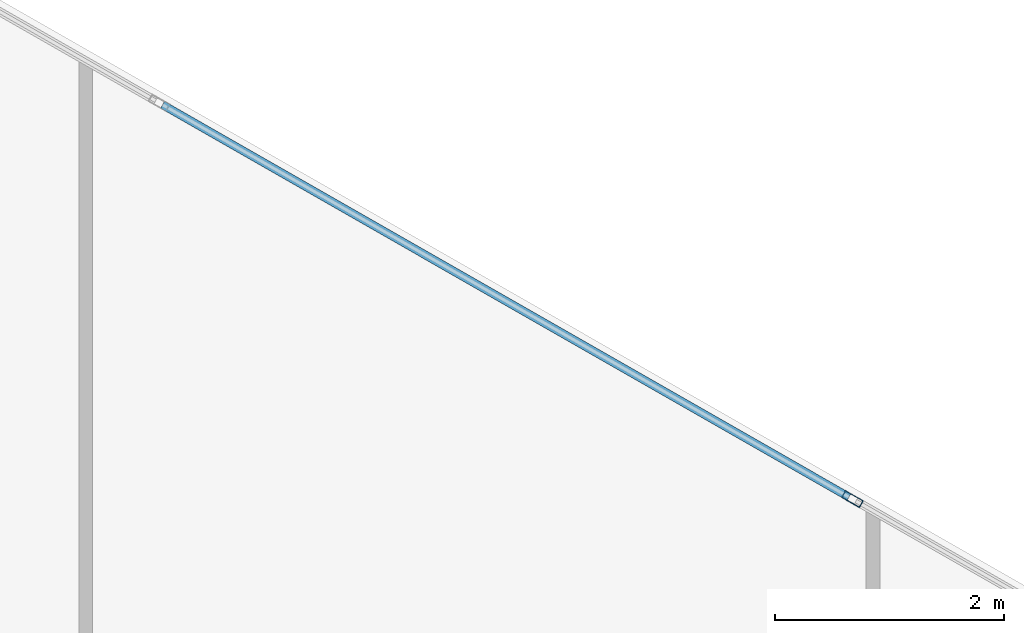
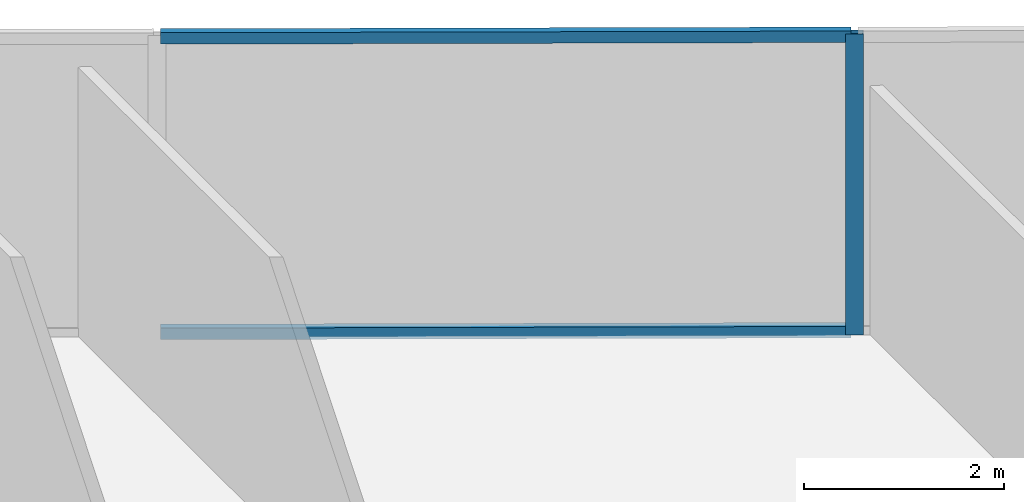
# One storey, part 18 of 24: 3 members, 1 element without a shape of its own.
"""IFC4 building model written with IfcOpenShell, lengths in metres."""

import ifcopenshell
import ifcopenshell.guid

model = None  # the IFC model being written
_history = None  # IfcOwnerHistory: only IFC2X3 demands one
_inside = {}  # id of a spatial element -> (the spatial element, [elements in it])
_under = {}  # id of a project, library or spatial element -> (it, [spatial elements below it])
_declared = {}  # id of a project -> (the project, [libraries it declares])
_typed = {}  # id of a type object -> (the type object, [elements of that type])
_made_of = {}  # id of a material, layer set ... -> (it, [elements and type objects made of it])


def new_model(schema):
    """Start an empty IFC model of exactly this schema.

    Asked for "IFC4X3", IfcOpenShell would pick the latest addendum, in which some entities
    have other attributes; the version numbers below select the first issue.
    IFC2X3 requires an IfcOwnerHistory on every rooted entity: one is made here for all.
    """
    global model, _history
    if schema == "IFC4X3":
        model = ifcopenshell.file(schema_version=(4, 3, 0, 0))
    else:
        model = ifcopenshell.file(schema=schema)
    _inside.clear()
    _under.clear()
    _declared.clear()
    _typed.clear()
    _made_of.clear()
    _history = None
    if model.schema == "IFC2X3":
        org = make("IfcOrganization", Name="unknown")
        user = make(
            "IfcPersonAndOrganization",
            ThePerson=make("IfcPerson", FamilyName="unknown"),
            TheOrganization=org,
        )
        app = make(
            "IfcApplication",
            ApplicationDeveloper=org,
            Version="unknown",
            ApplicationFullName="unknown",
            ApplicationIdentifier="unknown",
        )
        _history = make(
            "IfcOwnerHistory",
            OwningUser=user,
            OwningApplication=app,
            ChangeAction="ADDED",
            CreationDate=0,
        )
    return model


def make(cls, **values):
    """One entity of the class cls with the attributes given. An attribute that is None is left unset."""
    return model.create_entity(
        cls, **{name: value for name, value in values.items() if value is not None}
    )


def rooted(cls, **values):
    """An entity with a GlobalId (a new one), such as an element, a storey or a relation."""
    return make(cls, GlobalId=ifcopenshell.guid.new(), OwnerHistory=_history, **values)


def si_unit(unit_type, name, prefix=None):
    """IfcSIUnit, for example si_unit("LENGTHUNIT", "METRE", prefix="MILLI")."""
    return make("IfcSIUnit", UnitType=unit_type, Prefix=prefix, Name=name)


def assignment(units):
    """IfcUnitAssignment: the units of a project."""
    return None if units is None else make("IfcUnitAssignment", Units=units)


def point(xyz):
    """IfcCartesianPoint."""
    return None if xyz is None else make("IfcCartesianPoint", Coordinates=xyz)


def direction(xyz):
    """IfcDirection."""
    return None if xyz is None else make("IfcDirection", DirectionRatios=xyz)


def frame(location, z_axis=None, x_axis=None):
    """IfcAxis2Placement3D, a coordinate frame: its origin and axes. An axis left out is left unset."""
    return make(
        "IfcAxis2Placement3D",
        Location=point(location),
        Axis=direction(z_axis),
        RefDirection=direction(x_axis),
    )


def frame_2d(location, x_axis=None):
    """IfcAxis2Placement2D, a coordinate frame in the plane: its origin and x axis."""
    return make(
        "IfcAxis2Placement2D", Location=point(location), RefDirection=direction(x_axis)
    )


def origin():
    """The frame at (0, 0, 0) with its axes left unset."""
    return frame((0.0, 0.0, 0.0))


def origin_2d():
    """The frame at (0, 0) in the plane with its x axis left unset."""
    return frame_2d((0.0, 0.0))


def place(relative_to, where):
    """IfcLocalPlacement: puts the frame where relative to a parent placement (None: the world)."""
    return make(
        "IfcLocalPlacement", PlacementRelTo=relative_to, RelativePlacement=where
    )


def context(
    kind, dimensions, precision=None, world=None, true_north=None, identifier=None
):
    """IfcGeometricRepresentationContext, for example the 3D "Model" context."""
    return make(
        "IfcGeometricRepresentationContext",
        ContextIdentifier=identifier,
        ContextType=kind,
        CoordinateSpaceDimension=dimensions,
        Precision=precision,
        WorldCoordinateSystem=world,
        TrueNorth=true_north,
    )


def subcontext(parent, identifier, kind, view, scale=None):
    """IfcGeometricRepresentationSubContext, for example "Body" below "Model"."""
    return make(
        "IfcGeometricRepresentationSubContext",
        ContextIdentifier=identifier,
        ContextType=kind,
        ParentContext=parent,
        TargetScale=scale,
        TargetView=view,
    )


def project(units=None, contexts=None):
    """IfcProject with its units and contexts."""
    return rooted(
        "IfcProject",
        Name="project",
        RepresentationContexts=contexts,
        UnitsInContext=assignment(units),
    )


def spatial(cls, under=None, at=None, **own):
    """A site, building, storey or space (cls), placed at a placement, below another one or the project."""
    s = rooted(cls, ObjectPlacement=at, **own)
    if under is not None:
        _under.setdefault(under.id(), (under, []))[1].append(s)
    return s


def profile(cls, at=None, kind="AREA", **sizes):
    """A parametric profile (cls). Its sizes go by their IFC names, for example OverallWidth=200.0."""
    return make(cls, ProfileType=kind, Position=at, **sizes)


def hollow_rectangle(**sizes):
    """IfcRectangleHollowProfileDef."""
    return profile("IfcRectangleHollowProfileDef", **sizes)


def extrude(swept, where, along, depth):
    """IfcExtrudedAreaSolid: the profile swept, set in the frame where, extruded along a direction by depth."""
    return make(
        "IfcExtrudedAreaSolid",
        SweptArea=swept,
        Position=where,
        ExtrudedDirection=direction(along),
        Depth=depth,
    )


def shape(context_of_items, identifier, shape_type, items):
    """IfcShapeRepresentation: the items that make up one representation, for example the "Body"."""
    return make(
        "IfcShapeRepresentation",
        ContextOfItems=context_of_items,
        RepresentationIdentifier=identifier,
        RepresentationType=shape_type,
        Items=items,
    )


def source(mapping_origin, context_of_items, identifier, shape_type, items):
    """IfcRepresentationMap: a shape defined once, which mapped items show again and again."""
    return make(
        "IfcRepresentationMap",
        MappingOrigin=mapping_origin,
        MappedRepresentation=shape(context_of_items, identifier, shape_type, items),
    )


def transform(
    local_origin,
    x_axis=None,
    y_axis=None,
    z_axis=None,
    scale=None,
    scale2=None,
    scale3=None,
    uniform=True,
):
    """IfcCartesianTransformationOperator3D, or its non-uniform kind. x_axis, y_axis, z_axis: its Axis1, 2, 3."""
    if uniform:
        return make(
            "IfcCartesianTransformationOperator3D",
            Axis1=direction(x_axis),
            Axis2=direction(y_axis),
            LocalOrigin=point(local_origin),
            Scale=scale,
            Axis3=direction(z_axis),
        )
    return make(
        "IfcCartesianTransformationOperator3DnonUniform",
        Axis1=direction(x_axis),
        Axis2=direction(y_axis),
        LocalOrigin=point(local_origin),
        Scale=scale,
        Axis3=direction(z_axis),
        Scale2=scale2,
        Scale3=scale3,
    )


def mapped(mapping_source, mapping_target):
    """IfcMappedItem: shows the shape of a source again, moved by a transform."""
    return make(
        "IfcMappedItem", MappingSource=mapping_source, MappingTarget=mapping_target
    )


def material(Name=None, Category=None):
    """IfcMaterial."""
    return make("IfcMaterial", Name=Name, Category=Category)


def material_profile(
    of_material, cross_section, Name=None, Category=None, Priority=None
):
    """IfcMaterialProfile: a cross section and its material."""
    return make(
        "IfcMaterialProfile",
        Name=Name,
        Material=of_material,
        Profile=cross_section,
        Priority=Priority,
        Category=Category,
    )


def profile_set(profiles, Name=None, composite=None):
    """IfcMaterialProfileSet."""
    return make(
        "IfcMaterialProfileSet",
        Name=Name,
        MaterialProfiles=profiles,
        CompositeProfile=composite,
    )


def made_of(thing, what):
    """Note that an element or type object is made of a material, layer set ...; save() writes the relation."""
    if what is not None:
        _made_of.setdefault(what.id(), (what, []))[1].append(thing)
    return thing


def type_object(cls, material=None, **own):
    """A type object (cls), such as IfcWallType, which elements share."""
    return made_of(rooted(cls, **own), material)


def type_shapes(of_type, sources):
    """Give a type object the sources (RepresentationMaps) that its elements show as mapped items."""
    of_type.RepresentationMaps = sources


def element(
    cls,
    number,
    at=None,
    inside=None,
    cuts=None,
    type_object=None,
    material=None,
    context=None,
    identifier="Body",
    shape_type=None,
    held_by="IfcProductDefinitionShape",
    body=None,
    shapes=None,
    **own,
):
    """One element of the class cls, such as IfcWall. Its Tag is "e" and its number.

    at: its placement. inside: the storey or other place that contains it. cuts: it is an
    opening in that element (IfcRelVoidsElement). A single representation is given by context,
    identifier, shape_type and body (its items); several are given by shapes. held_by: the class
    of the entity that holds the representations. save() writes the other relations.
    """
    e = rooted(cls, Tag="e%d" % number, ObjectPlacement=at, **own)
    if body is not None:
        shapes = [shape(context, identifier, shape_type, body)]
    if shapes is not None:
        e.Representation = make(held_by, Representations=shapes)
    if inside is not None:
        _inside.setdefault(inside.id(), (inside, []))[1].append(e)
    if cuts is not None:
        rooted(
            "IfcRelVoidsElement", RelatingBuildingElement=cuts, RelatedOpeningElement=e
        )
    if type_object is not None:
        _typed.setdefault(type_object.id(), (type_object, []))[1].append(e)
    return made_of(e, material)


def aggregate(whole, parts):
    """IfcRelAggregates: a whole, such as a stair, and the parts it consists of."""
    return rooted("IfcRelAggregates", RelatingObject=whole, RelatedObjects=parts)


def save(model, path):
    """Write the relations noted so far, then the file.

    IfcRelAggregates (storeys below a building ...), IfcRelContainedInSpatialStructure (elements
    in a storey), IfcRelDefinesByType, IfcRelAssociatesMaterial and IfcRelDeclares: one each for
    every whole, place, type object, material and project.
    """
    for whole, parts in _under.values():
        aggregate(whole, parts)
    for where, things in _inside.values():
        rooted(
            "IfcRelContainedInSpatialStructure",
            RelatedElements=things,
            RelatingStructure=where,
        )
    for kind, things in _typed.values():
        rooted("IfcRelDefinesByType", RelatedObjects=things, RelatingType=kind)
    for what, things in _made_of.values():
        rooted("IfcRelAssociatesMaterial", RelatedObjects=things, RelatingMaterial=what)
    for by, libraries in _declared.values():
        rooted("IfcRelDeclares", RelatingContext=by, RelatedDefinitions=libraries)
    model.write(path)


model = new_model("IFC4")

# Units and contexts
model_context = context("Model", 3, precision=1e-05, world=origin(), true_north=direction((0.0, 1.0)))
body_context = subcontext(model_context, "Body", "Model", "MODEL_VIEW")
ifc_project = project(units=[si_unit("LENGTHUNIT", "METRE"), si_unit("AREAUNIT", "SQUARE_METRE"), si_unit("VOLUMEUNIT", "CUBIC_METRE"), si_unit("PLANEANGLEUNIT", "RADIAN"), si_unit("MASSUNIT", "GRAM", prefix="KILO")], contexts=[model_context])

# Site, building, storey
site_placement = place(None, origin())
site = spatial("IfcSite", under=ifc_project, at=site_placement, CompositionType="ELEMENT")
building_placement = place(site_placement, origin())
building = spatial("IfcBuilding", under=site, at=building_placement, Name="Krantzveldt Concourse Tower", CompositionType="ELEMENT")
storey_placement = place(building_placement, frame((0.0, 0.0, 169.89990234375)))
storey = spatial("IfcBuildingStorey", under=building, at=storey_placement, Name="L41", CompositionType="ELEMENT", Elevation=169.89990234375)

# Curtain wall, members
ifc_material = material(Name="Anodised aluminium 6063-T6", Category="aluminium")
curtain_wall_type = type_object("IfcCurtainWallType", Name="CW3", PredefinedType="USERDEFINED", material=ifc_material)
curtain_wall_placement = place(storey_placement, origin())
curtain_wall = element("IfcCurtainWall", 1, at=curtain_wall_placement, inside=storey, type_object=curtain_wall_type, Name="CW-L41-F14", ObjectType="UNITISED CURTAIN WALL", PredefinedType="USERDEFINED")
ifc_material_profile_1 = material_profile(ifc_material, hollow_rectangle(XDim=0.070068359375, YDim=0.179931640625, WallThickness=0.0048828125, at=origin_2d()), Name="Anodised aluminium 6063-T6", Category="aluminium")
ifc_profile_set_1 = profile_set([ifc_material_profile_1], Name="Anodised aluminium 6063-T6 - ALU-MULL 180x70x5")
member_type_1 = type_object("IfcMemberType", Name="CW-MUL-180", PredefinedType="MULLION", material=ifc_profile_set_1)
shared_shape_1 = source(origin(), body_context, "Body", "SweptSolid", [
    extrude(hollow_rectangle(XDim=0.070068359375, YDim=0.179931640625, WallThickness=0.0048828125, at=origin_2d()), origin(), (0.0, 0.0, 1.0), 3.670166015625),
])
type_shapes(member_type_1, [shared_shape_1])
member_1_placement = place(storey_placement, frame((43.80126953125, 47.3623046875, 0.0), z_axis=(0.0, 0.0, 1.0), x_axis=(-0.496216394392, -0.868198876949, 0.0)))
member_1 = element("IfcMember", 2, at=member_1_placement, type_object=member_type_1, Name="CW-Z34 mullion 4", PredefinedType="MULLION", context=body_context, shape_type="MappedRepresentation", body=[
    mapped(shared_shape_1, transform((0.0, 0.0, 0.0), x_axis=(1.0, 0.0, 0.0), y_axis=(0.0, 1.0, 0.0), z_axis=(0.0, 0.0, 1.0), scale=1.0)),
])
ifc_material_profile_2 = material_profile(ifc_material, hollow_rectangle(XDim=0.070068359375, YDim=0.139892578125, WallThickness=0.0048828125, at=origin_2d()), Name="Anodised aluminium 6063-T6", Category="aluminium")
ifc_profile_set_2 = profile_set([ifc_material_profile_2], Name="Anodised aluminium 6063-T6 - ALU-TRAN 140x70x5")
member_type_2 = type_object("IfcMemberType", Name="CW-TRN-150", PredefinedType="USERDEFINED", material=ifc_profile_set_2)
shared_shape_2 = source(origin(), body_context, "Body", "SweptSolid", [
    extrude(hollow_rectangle(XDim=0.070068359375, YDim=0.139892578125, WallThickness=0.0048828125, at=origin_2d()), origin(), (0.0, 0.0, 1.0), 6.89013671875),
])
type_shapes(member_type_2, [shared_shape_2])
member_2_placement = place(storey_placement, frame((43.770751953125, 47.379638671875, 0.03515625), z_axis=(-0.868199527911, 0.496215255443, 0.0), x_axis=(-0.496215255443, -0.868199527911, 0.0)))
member_2 = element("IfcMember", 3, at=member_2_placement, type_object=member_type_2, Name="CW-Z34 transom 4.1", ObjectType="TRANSOM", PredefinedType="USERDEFINED", context=body_context, shape_type="MappedRepresentation", body=[
    mapped(shared_shape_2, transform((0.0, 0.0, 0.0), x_axis=(1.0, 0.0, 0.0), y_axis=(0.0, 1.0, 0.0), z_axis=(0.0, 0.0, 1.0), scale=1.0)),
])
member_3_placement = place(storey_placement, frame((43.770751953125, 47.379638671875, 3.635009765625), z_axis=(-0.868199527911, 0.496215255443, 0.0), x_axis=(-0.496215255443, -0.868199527911, 0.0)))
member_3 = element("IfcMember", 4, at=member_3_placement, type_object=member_type_2, Name="CW-Z34 transom 4.2", ObjectType="TRANSOM", PredefinedType="USERDEFINED", context=body_context, shape_type="MappedRepresentation", body=[
    mapped(shared_shape_2, transform((0.0, 0.0, 0.0), x_axis=(1.0, 0.0, 0.0), y_axis=(0.0, 1.0, 0.0), z_axis=(0.0, 0.0, 1.0), scale=1.0)),
])
aggregate(curtain_wall, [member_1, member_2, member_3])

save(model, "model.ifc")
